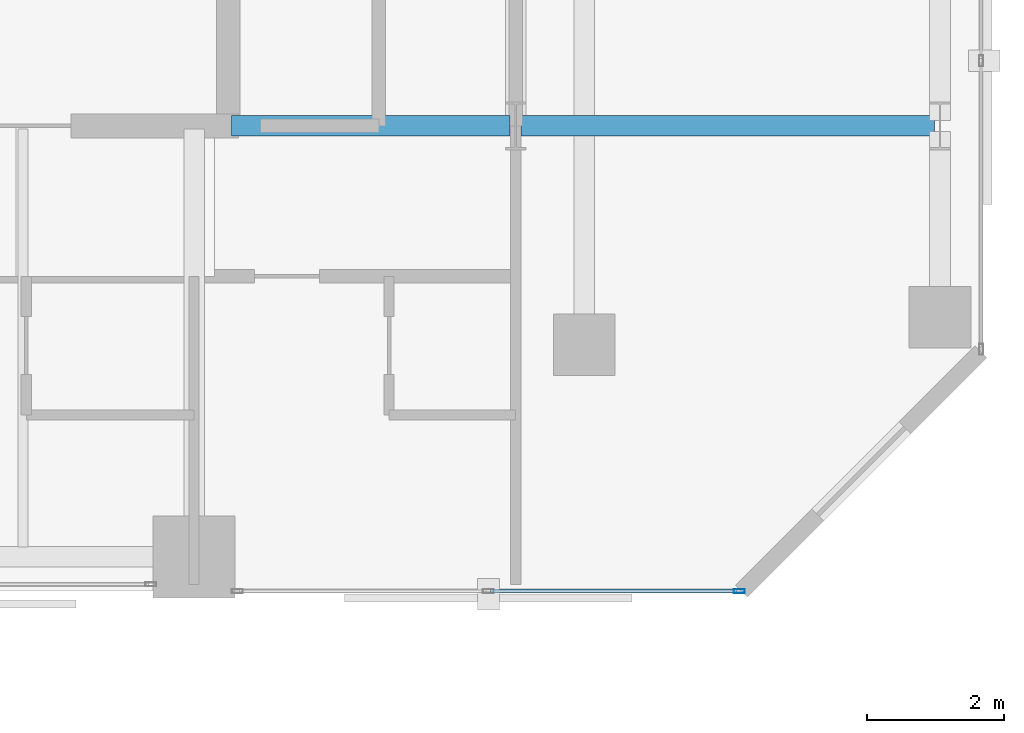
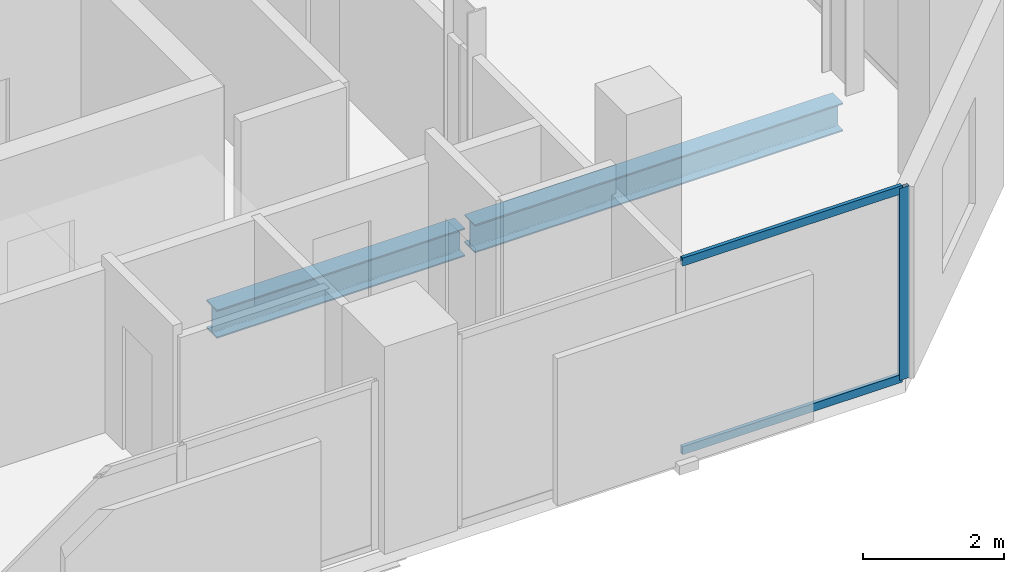
# One storey, part 15 of 34: 3 members, 2 beams, 1 element without a shape of its own.
"""IFC4 building model written with IfcOpenShell, lengths in metres."""

from ifc_helpers import new_model, si_unit, direction, frame, origin, origin_2d, place, context, subcontext, project, spatial, hollow_rectangle, i_section, extrude, material, layer, layer_set, material_profile, profile_set, type_object, element, aggregate, save


model = new_model("IFC4")

# Units and contexts
model_context = context("Model", 3, precision=1e-05, world=origin(), true_north=direction((0.0, 1.0)))
body_context = subcontext(model_context, "Body", "Model", "MODEL_VIEW")
ifc_project = project(units=[si_unit("LENGTHUNIT", "METRE"), si_unit("AREAUNIT", "SQUARE_METRE"), si_unit("VOLUMEUNIT", "CUBIC_METRE"), si_unit("PLANEANGLEUNIT", "RADIAN"), si_unit("MASSUNIT", "GRAM", prefix="KILO")], contexts=[model_context])

# Site, building, storey
site_placement = place(None, origin())
site = spatial("IfcSite", under=ifc_project, at=site_placement, CompositionType="ELEMENT")
building_placement = place(site_placement, origin())
building = spatial("IfcBuilding", under=site, at=building_placement, Name="Catumbela Crestline Tower", CompositionType="ELEMENT")
storey_placement = place(building_placement, frame((0.0, 0.0, 97.2)))
storey = spatial("IfcBuildingStorey", under=building, at=storey_placement, Name="L24", CompositionType="ELEMENT", Elevation=97.2)

# Beams
ifc_material_1 = material(Name="Structural steel S355J2", Category="steel")
ifc_material_profile_1 = material_profile(ifc_material_1, i_section(OverallWidth=0.3, OverallDepth=0.49, WebThickness=0.012, FlangeThickness=0.023, FilletRadius=0.027, at=origin_2d()), Name="HEA 500")
ifc_profile_set_1 = profile_set([ifc_material_profile_1], Name="Structural steel S355J2")
beam_type = type_object("IfcBeamType", Name="BG-HEA500", PredefinedType="BEAM", material=ifc_profile_set_1)
beam_1_placement = place(storey_placement, frame((40.05, 30.8, -0.505), z_axis=(1.0, 0.0, 0.0), x_axis=(0.0, 1.0, 0.0)))
element("IfcBeam", 1, at=beam_1_placement, inside=storey, type_object=beam_type, Name="L24 Beam BM-L24-M10", PredefinedType="BEAM", context=body_context, shape_type="SweptSolid", body=[
    extrude(i_section(OverallWidth=0.3, OverallDepth=0.49, WebThickness=0.012, FlangeThickness=0.023, FilletRadius=0.027, at=origin_2d()), origin(), (0.0, 0.0, 1.0), 4.07),
])
beam_2_placement = place(storey_placement, frame((44.28, 30.8, -0.505), z_axis=(1.0, 0.0, 0.0), x_axis=(0.0, 1.0, 0.0)))
element("IfcBeam", 2, at=beam_2_placement, inside=storey, type_object=beam_type, Name="L24 Beam BM-L24-M11", PredefinedType="BEAM", context=body_context, shape_type="SweptSolid", body=[
    extrude(i_section(OverallWidth=0.3, OverallDepth=0.49, WebThickness=0.012, FlangeThickness=0.023, FilletRadius=0.027, at=origin_2d()), origin(), (0.0, 0.0, 1.0), 6.04),
])

# Curtain wall, members
ifc_material_2 = material(Name="Aluminium alloy AW-6060-T66", Category="aluminium")
ifc_layer = layer(ifc_material_2, 0.18, Name="Aluminium alloy AW-6060-T66")
ifc_layer_set = layer_set([ifc_layer], Name="Aluminium alloy AW-6060-T66")
curtain_wall_type = type_object("IfcCurtainWallType", Name="CWU-Z2", PredefinedType="USERDEFINED", material=ifc_layer_set)
curtain_wall_placement = place(storey_placement, origin())
curtain_wall = element("IfcCurtainWall", 3, at=curtain_wall_placement, inside=storey, type_object=curtain_wall_type, Name="L24 Unitised Curtain Wall CW-L24-E3S3", ObjectType="UNITISED", PredefinedType="USERDEFINED")
ifc_material_profile_2 = material_profile(ifc_material_2, hollow_rectangle(XDim=0.06, YDim=0.16, WallThickness=0.004, at=origin_2d()), Name="ALU 160x60x4")
ifc_profile_set_2 = profile_set([ifc_material_profile_2], Name="Aluminium alloy AW-6060-T66")
member_type_1 = type_object("IfcMemberType", Name="MUL-160X60", PredefinedType="MULLION", material=ifc_profile_set_2)
member_1_placement = place(storey_placement, frame((47.4675, 24.0, 0.0), z_axis=(0.0, 0.0, 1.0), x_axis=(0.0, 1.0, 0.0)))
member_1 = element("IfcMember", 4, at=member_1_placement, type_object=member_type_1, Name="CWU-Z2 mullion 3", PredefinedType="MULLION", context=body_context, shape_type="SweptSolid", body=[
    extrude(hollow_rectangle(XDim=0.06, YDim=0.16, WallThickness=0.004, at=origin_2d()), origin(), (0.0, 0.0, 1.0), 3.33),
])
ifc_material_profile_3 = material_profile(ifc_material_2, hollow_rectangle(XDim=0.06, YDim=0.14, WallThickness=0.004, at=origin_2d()), Name="ALU 140x60x4")
ifc_profile_set_3 = profile_set([ifc_material_profile_3], Name="Aluminium alloy AW-6060-T66")
member_type_2 = type_object("IfcMemberType", Name="TRN-140X60", PredefinedType="USERDEFINED", material=ifc_profile_set_3)
member_2_placement = place(storey_placement, frame((43.8325, 24.0, 0.03), z_axis=(1.0, 0.0, 0.0), x_axis=(0.0, 1.0, 0.0)))
member_2 = element("IfcMember", 5, at=member_2_placement, type_object=member_type_2, Name="CWU-Z2 transom 2.1", ObjectType="TRANSOM", PredefinedType="USERDEFINED", context=body_context, shape_type="SweptSolid", body=[
    extrude(hollow_rectangle(XDim=0.06, YDim=0.14, WallThickness=0.004, at=origin_2d()), origin(), (0.0, 0.0, 1.0), 3.6025),
])
member_3_placement = place(storey_placement, frame((43.8325, 24.0, 3.3), z_axis=(1.0, 0.0, 0.0), x_axis=(0.0, 1.0, 0.0)))
member_3 = element("IfcMember", 6, at=member_3_placement, type_object=member_type_2, Name="CWU-Z2 transom 2.2", ObjectType="TRANSOM", PredefinedType="USERDEFINED", context=body_context, shape_type="SweptSolid", body=[
    extrude(hollow_rectangle(XDim=0.06, YDim=0.14, WallThickness=0.004, at=origin_2d()), origin(), (0.0, 0.0, 1.0), 3.6025),
])
aggregate(curtain_wall, [member_1, member_2, member_3])

save(model, "model.ifc")
